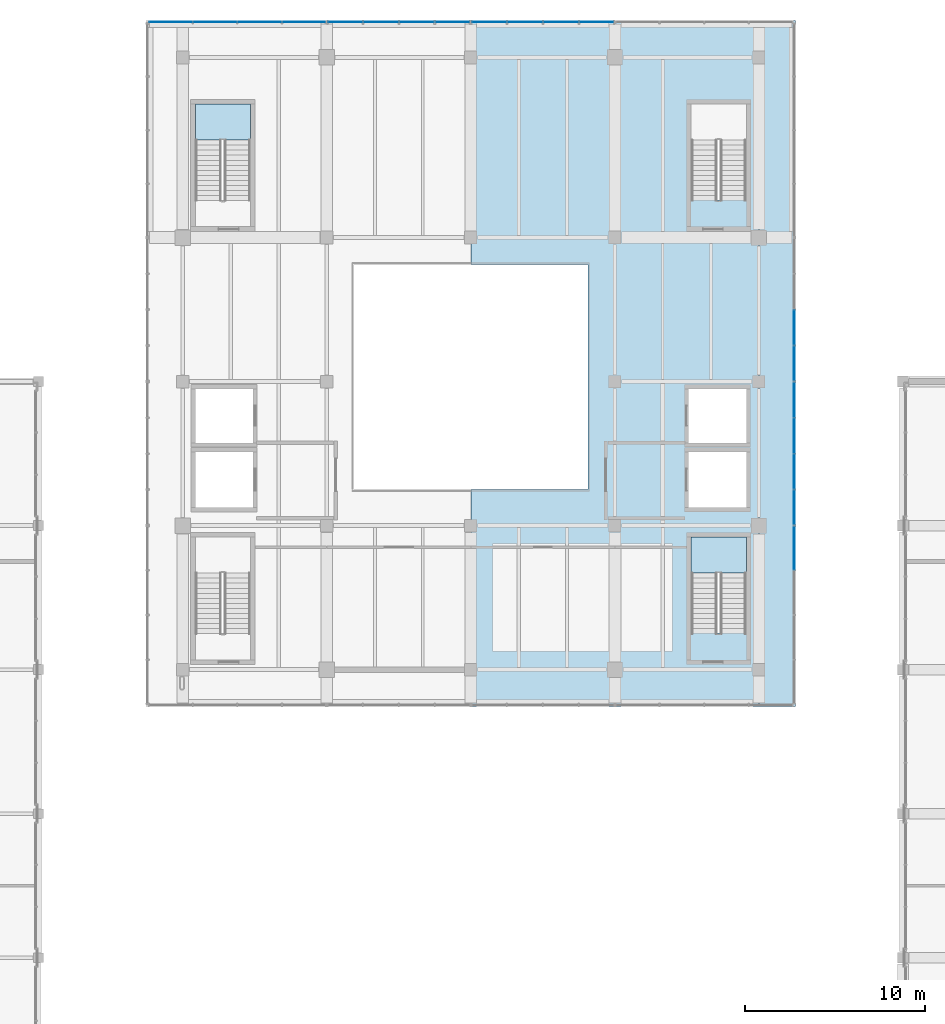
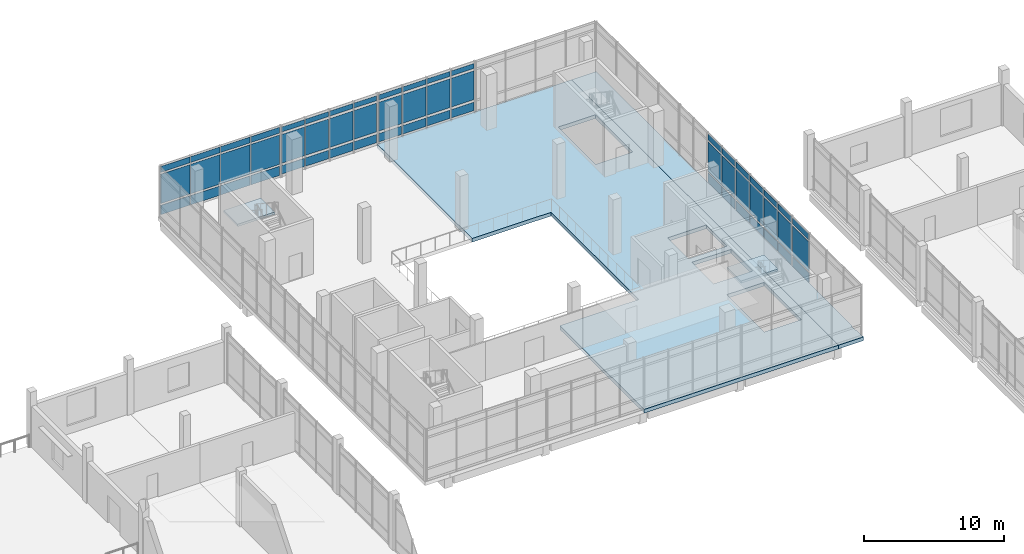
# One storey, part 29 of 47: 57 plates, 4 slabs, 8 elements without a shape of their own.
"""IFC4 building model written with IfcOpenShell, lengths in metres."""

from ifc_helpers import new_model, si_unit, direction, frame, origin, origin_2d, place, context, subcontext, project, spatial, polyline, rectangle, outline, extrude, material, layer, layer_set, type_object, element, aggregate, save


model = new_model("IFC4")

# Units and contexts
model_context = context("Model", 3, precision=1e-05, world=origin(), true_north=direction((0.0, 1.0)))
body_context = subcontext(model_context, "Body", "Model", "MODEL_VIEW")
ifc_project = project(units=[si_unit("LENGTHUNIT", "METRE"), si_unit("AREAUNIT", "SQUARE_METRE"), si_unit("VOLUMEUNIT", "CUBIC_METRE"), si_unit("PLANEANGLEUNIT", "RADIAN"), si_unit("MASSUNIT", "GRAM", prefix="KILO")], contexts=[model_context])

# Site, building, storey
site_placement = place(None, origin())
site = spatial("IfcSite", under=ifc_project, at=site_placement, CompositionType="ELEMENT")
building_placement = place(site_placement, origin())
building = spatial("IfcBuilding", under=site, at=building_placement, Name="Pecanmere Concourse Central Library", CompositionType="ELEMENT")
storey_placement = place(building_placement, frame((0.0, 0.0, 15.300048828125)))
storey = spatial("IfcBuildingStorey", under=building, at=storey_placement, Name="L04", CompositionType="ELEMENT", Elevation=15.300048828125)

# Curtain wall, plates
ifc_material_1 = material(Name="Anodized bronze aluminium alloy 6063-T6", Category="aluminium")
curtain_wall_type_1 = type_object("IfcCurtainWallType", Name="CW_PORTAL_CLEAR", PredefinedType="USERDEFINED", material=ifc_material_1)
curtain_wall_1_placement = place(storey_placement, origin())
curtain_wall_1 = element("IfcCurtainWall", 1, at=curtain_wall_1_placement, inside=storey, type_object=curtain_wall_type_1, Name="Unitised Curtain Wall CW-03 L04-039", ObjectType="UNITISED CURTAIN WALL", PredefinedType="USERDEFINED")
ifc_material_2 = material(Name="White ceramic-fritted insulated spandrel glazing", Category="glass")
ifc_layer_1 = layer(ifc_material_2, 0.053955078125, Name="CWP_SPN_54")
ifc_layer_set_1 = layer_set([ifc_layer_1], Name="White ceramic-fritted insulated spandrel glazing")
plate_type_1 = type_object("IfcPlateType", Name="CWP_SPN_54", PredefinedType="CURTAIN_PANEL", material=ifc_layer_set_1)
plate_1_placement = place(storey_placement, frame((94.97509765625, 125.96142578125, 0.2099609375), z_axis=(0.0, 0.0, 1.0), x_axis=(-1.0, 0.0, 0.0)))
plate_1 = element("IfcPlate", 2, at=plate_1_placement, type_object=plate_type_1, Name="CW-03 Spandrel Panel 1.1", PredefinedType="CURTAIN_PANEL", context=body_context, shape_type="SweptSolid", body=[
    extrude(rectangle(XDim=1.8701171875, YDim=0.035888671875, at=origin_2d()), origin(), (0.0, 0.0, 1.0), 0.735107421875),
])
plate_2_placement = place(storey_placement, frame((92.998779296875, 125.96142578125, 0.2099609375), z_axis=(0.0, 0.0, 1.0), x_axis=(-1.0, 0.0, 0.0)))
plate_2 = element("IfcPlate", 3, at=plate_2_placement, type_object=plate_type_1, Name="CW-03 Spandrel Panel 2.1", PredefinedType="CURTAIN_PANEL", context=body_context, shape_type="SweptSolid", body=[
    extrude(rectangle(XDim=1.91259765625, YDim=0.035888671875, at=origin_2d()), origin(), (0.0, 0.0, 1.0), 0.735107421875),
])
plate_3_placement = place(storey_placement, frame((91.001220703125, 125.96142578125, 0.2099609375), z_axis=(0.0, 0.0, 1.0), x_axis=(-1.0, 0.0, 0.0)))
plate_3 = element("IfcPlate", 4, at=plate_3_placement, type_object=plate_type_1, Name="CW-03 Spandrel Panel 3.1", PredefinedType="CURTAIN_PANEL", context=body_context, shape_type="SweptSolid", body=[
    extrude(rectangle(XDim=1.91259765625, YDim=0.035888671875, at=origin_2d()), origin(), (0.0, 0.0, 1.0), 0.735107421875),
])
plate_4_placement = place(storey_placement, frame((89.02490234375, 125.96142578125, 0.2099609375), z_axis=(0.0, 0.0, 1.0), x_axis=(-1.0, 0.0, 0.0)))
plate_4 = element("IfcPlate", 5, at=plate_4_placement, type_object=plate_type_1, Name="CW-03 Spandrel Panel 4.1", PredefinedType="CURTAIN_PANEL", context=body_context, shape_type="SweptSolid", body=[
    extrude(rectangle(XDim=1.8701171875, YDim=0.035888671875, at=origin_2d()), origin(), (0.0, 0.0, 1.0), 0.735107421875),
])

curtain_wall_2_placement = place(storey_placement, origin())
curtain_wall_2 = element("IfcCurtainWall", 6, at=curtain_wall_2_placement, inside=storey, type_object=curtain_wall_type_1, Name="Unitised Curtain Wall CW-03 L04-040", ObjectType="UNITISED CURTAIN WALL", PredefinedType="USERDEFINED")
plate_5_placement = place(storey_placement, frame((86.97509765625, 125.96142578125, 0.2099609375), z_axis=(0.0, 0.0, 1.0), x_axis=(-1.0, 0.0, 0.0)))
plate_5 = element("IfcPlate", 7, at=plate_5_placement, type_object=plate_type_1, Name="CW-03 Spandrel Panel 1.1", PredefinedType="CURTAIN_PANEL", context=body_context, shape_type="SweptSolid", body=[
    extrude(rectangle(XDim=1.8701171875, YDim=0.035888671875, at=origin_2d()), origin(), (0.0, 0.0, 1.0), 0.735107421875),
])
plate_6_placement = place(storey_placement, frame((84.998779296875, 125.96142578125, 0.2099609375), z_axis=(0.0, 0.0, 1.0), x_axis=(-1.0, 0.0, 0.0)))
plate_6 = element("IfcPlate", 8, at=plate_6_placement, type_object=plate_type_1, Name="CW-03 Spandrel Panel 2.1", PredefinedType="CURTAIN_PANEL", context=body_context, shape_type="SweptSolid", body=[
    extrude(rectangle(XDim=1.91259765625, YDim=0.035888671875, at=origin_2d()), origin(), (0.0, 0.0, 1.0), 0.735107421875),
])
plate_7_placement = place(storey_placement, frame((83.001220703125, 125.96142578125, 0.2099609375), z_axis=(0.0, 0.0, 1.0), x_axis=(-1.0, 0.0, 0.0)))
plate_7 = element("IfcPlate", 9, at=plate_7_placement, type_object=plate_type_1, Name="CW-03 Spandrel Panel 3.1", PredefinedType="CURTAIN_PANEL", context=body_context, shape_type="SweptSolid", body=[
    extrude(rectangle(XDim=1.91259765625, YDim=0.035888671875, at=origin_2d()), origin(), (0.0, 0.0, 1.0), 0.735107421875),
])
plate_8_placement = place(storey_placement, frame((81.02490234375, 125.96142578125, 0.2099609375), z_axis=(0.0, 0.0, 1.0), x_axis=(-1.0, 0.0, 0.0)))
plate_8 = element("IfcPlate", 10, at=plate_8_placement, type_object=plate_type_1, Name="CW-03 Spandrel Panel 4.1", PredefinedType="CURTAIN_PANEL", context=body_context, shape_type="SweptSolid", body=[
    extrude(rectangle(XDim=1.8701171875, YDim=0.035888671875, at=origin_2d()), origin(), (0.0, 0.0, 1.0), 0.735107421875),
])

ifc_material_3 = material(Name="Anodized bronze aluminium alloy 6063-T6", Category="aluminium")
curtain_wall_type_2 = type_object("IfcCurtainWallType", Name="CW_PLUMB_BANDED", PredefinedType="USERDEFINED", material=ifc_material_3)
curtain_wall_3_placement = place(storey_placement, origin())
curtain_wall_3 = element("IfcCurtainWall", 11, at=curtain_wall_3_placement, inside=storey, type_object=curtain_wall_type_2, Name="Unitised Curtain Wall CW-02 L04-041", ObjectType="UNITISED CURTAIN WALL", PredefinedType="USERDEFINED")
plate_9_placement = place(storey_placement, frame((78.7392578125, 125.96142578125, 0.159912109375), z_axis=(0.0, 0.0, 1.0), x_axis=(-1.0, 0.0, 0.0)))
plate_9 = element("IfcPlate", 12, at=plate_9_placement, type_object=plate_type_1, Name="CW-02 Spandrel Panel 1.1", PredefinedType="CURTAIN_PANEL", context=body_context, shape_type="SweptSolid", body=[
    extrude(rectangle(XDim=2.381591796875, YDim=0.035888671875, at=origin_2d()), origin(), (0.0, 0.0, 1.0), 0.81005859375),
])
plate_10_placement = place(storey_placement, frame((76.2763671875, 125.96142578125, 0.159912109375), z_axis=(0.0, 0.0, 1.0), x_axis=(-1.0, 0.0, 0.0)))
plate_10 = element("IfcPlate", 13, at=plate_10_placement, type_object=plate_type_1, Name="CW-02 Spandrel Panel 2.1", PredefinedType="CURTAIN_PANEL", context=body_context, shape_type="SweptSolid", body=[
    extrude(rectangle(XDim=2.4140625, YDim=0.035888671875, at=origin_2d()), origin(), (0.0, 0.0, 1.0), 0.81005859375),
])
plate_11_placement = place(storey_placement, frame((73.797119140625, 125.96142578125, 0.159912109375), z_axis=(0.0, 0.0, 1.0), x_axis=(-1.0, 0.0, 0.0)))
plate_11 = element("IfcPlate", 14, at=plate_11_placement, type_object=plate_type_1, Name="CW-02 Spandrel Panel 3.1", PredefinedType="CURTAIN_PANEL", context=body_context, shape_type="SweptSolid", body=[
    extrude(rectangle(XDim=2.4140625, YDim=0.035888671875, at=origin_2d()), origin(), (0.0, 0.0, 1.0), 0.81005859375),
])
plate_12_placement = place(storey_placement, frame((71.334228515625, 125.96142578125, 0.159912109375), z_axis=(0.0, 0.0, 1.0), x_axis=(-1.0, 0.0, 0.0)))
plate_12 = element("IfcPlate", 15, at=plate_12_placement, type_object=plate_type_1, Name="CW-02 Spandrel Panel 4.1", PredefinedType="CURTAIN_PANEL", context=body_context, shape_type="SweptSolid", body=[
    extrude(rectangle(XDim=2.381591796875, YDim=0.035888671875, at=origin_2d()), origin(), (0.0, 0.0, 1.0), 0.81005859375),
])

# Curtain wall, plate
curtain_wall_4_placement = place(storey_placement, origin())
curtain_wall_4 = element("IfcCurtainWall", 16, at=curtain_wall_4_placement, inside=storey, type_object=curtain_wall_type_2, Name="Unitised Curtain Wall CW-02 L04-046", ObjectType="UNITISED CURTAIN WALL", PredefinedType="USERDEFINED")
plate_13_placement = place(storey_placement, frame((105.96142578125, 96.7392578125, 0.159912109375), z_axis=(0.0, 0.0, 1.0), x_axis=(0.0, 1.0, 0.0)))
plate_13 = element("IfcPlate", 17, at=plate_13_placement, type_object=plate_type_1, Name="CW-02 Spandrel Panel 4.1", PredefinedType="CURTAIN_PANEL", context=body_context, shape_type="SweptSolid", body=[
    extrude(rectangle(XDim=2.381591796875, YDim=0.035888671875, at=origin_2d()), origin(), (0.0, 0.0, 1.0), 0.81005859375),
])

# Curtain wall, plates
curtain_wall_5_placement = place(storey_placement, origin())
curtain_wall_5 = element("IfcCurtainWall", 18, at=curtain_wall_5_placement, inside=storey, type_object=curtain_wall_type_2, Name="Unitised Curtain Wall CW-02 L04-047", ObjectType="UNITISED CURTAIN WALL", PredefinedType="USERDEFINED")
plate_14_placement = place(storey_placement, frame((105.96142578125, 99.02001953125, 0.159912109375), z_axis=(0.0, 0.0, 1.0), x_axis=(0.0, 1.0, 0.0)))
plate_14 = element("IfcPlate", 19, at=plate_14_placement, type_object=plate_type_1, Name="CW-02 Spandrel Panel 1.1", PredefinedType="CURTAIN_PANEL", context=body_context, shape_type="SweptSolid", body=[
    extrude(rectangle(XDim=1.89990234375, YDim=0.035888671875, at=origin_2d()), origin(), (0.0, 0.0, 1.0), 0.81005859375),
])
plate_15_placement = place(storey_placement, frame((105.96142578125, 101.001220703125, 0.159912109375), z_axis=(0.0, 0.0, 1.0), x_axis=(0.0, 1.0, 0.0)))
plate_15 = element("IfcPlate", 20, at=plate_15_placement, type_object=plate_type_1, Name="CW-02 Spandrel Panel 2.1", PredefinedType="CURTAIN_PANEL", context=body_context, shape_type="SweptSolid", body=[
    extrude(rectangle(XDim=1.9326171875, YDim=0.035888671875, at=origin_2d()), origin(), (0.0, 0.0, 1.0), 0.81005859375),
])
plate_16_placement = place(storey_placement, frame((105.96142578125, 102.998779296875, 0.159912109375), z_axis=(0.0, 0.0, 1.0), x_axis=(0.0, 1.0, 0.0)))
plate_16 = element("IfcPlate", 21, at=plate_16_placement, type_object=plate_type_1, Name="CW-02 Spandrel Panel 3.1", PredefinedType="CURTAIN_PANEL", context=body_context, shape_type="SweptSolid", body=[
    extrude(rectangle(XDim=1.9326171875, YDim=0.035888671875, at=origin_2d()), origin(), (0.0, 0.0, 1.0), 0.81005859375),
])
plate_17_placement = place(storey_placement, frame((105.96142578125, 104.97998046875, 0.159912109375), z_axis=(0.0, 0.0, 1.0), x_axis=(0.0, 1.0, 0.0)))
plate_17 = element("IfcPlate", 22, at=plate_17_placement, type_object=plate_type_1, Name="CW-02 Spandrel Panel 4.1", PredefinedType="CURTAIN_PANEL", context=body_context, shape_type="SweptSolid", body=[
    extrude(rectangle(XDim=1.89990234375, YDim=0.035888671875, at=origin_2d()), origin(), (0.0, 0.0, 1.0), 0.81005859375),
])

curtain_wall_6_placement = place(storey_placement, origin())
curtain_wall_6 = element("IfcCurtainWall", 23, at=curtain_wall_6_placement, inside=storey, type_object=curtain_wall_type_2, Name="Unitised Curtain Wall CW-02 L04-048", ObjectType="UNITISED CURTAIN WALL", PredefinedType="USERDEFINED")
plate_18_placement = place(storey_placement, frame((105.96142578125, 107.02001953125, 0.159912109375), z_axis=(0.0, 0.0, 1.0), x_axis=(0.0, 1.0, 0.0)))
plate_18 = element("IfcPlate", 24, at=plate_18_placement, type_object=plate_type_1, Name="CW-02 Spandrel Panel 1.1", PredefinedType="CURTAIN_PANEL", context=body_context, shape_type="SweptSolid", body=[
    extrude(rectangle(XDim=1.89990234375, YDim=0.035888671875, at=origin_2d()), origin(), (0.0, 0.0, 1.0), 0.81005859375),
])
plate_19_placement = place(storey_placement, frame((105.96142578125, 109.001220703125, 0.159912109375), z_axis=(0.0, 0.0, 1.0), x_axis=(0.0, 1.0, 0.0)))
plate_19 = element("IfcPlate", 25, at=plate_19_placement, type_object=plate_type_1, Name="CW-02 Spandrel Panel 2.1", PredefinedType="CURTAIN_PANEL", context=body_context, shape_type="SweptSolid", body=[
    extrude(rectangle(XDim=1.9326171875, YDim=0.035888671875, at=origin_2d()), origin(), (0.0, 0.0, 1.0), 0.81005859375),
])

# Plate
ifc_material_4 = material(Name="Low-iron clear insulated glazing", Category="glass")
ifc_layer_2 = layer(ifc_material_4, 0.035888671875, Name="CWP_VIS_36")
ifc_layer_set_2 = layer_set([ifc_layer_2], Name="Low-iron clear insulated glazing")
plate_type_2 = type_object("IfcPlateType", Name="CWP_VIS_36", PredefinedType="CURTAIN_PANEL", material=ifc_layer_set_2)
plate_20_placement = place(storey_placement, frame((94.97509765625, 125.96142578125, 1.15478515625), z_axis=(0.0, 0.0, 1.0), x_axis=(-1.0, 0.0, 0.0)))
plate_20 = element("IfcPlate", 26, at=plate_20_placement, type_object=plate_type_2, Name="CW-03 Vision Panel 1.2", PredefinedType="CURTAIN_PANEL", context=body_context, shape_type="SweptSolid", body=[
    extrude(rectangle(XDim=1.8701171875, YDim=0.035888671875, at=origin_2d()), origin(), (0.0, 0.0, 1.0), 2.510009765625),
])

plate_21_placement = place(storey_placement, frame((94.97509765625, 125.96142578125, 3.875), z_axis=(0.0, 0.0, 1.0), x_axis=(-1.0, 0.0, 0.0)))
plate_21 = element("IfcPlate", 27, at=plate_21_placement, type_object=plate_type_2, Name="CW-03 Vision Panel 1.3", PredefinedType="CURTAIN_PANEL", context=body_context, shape_type="SweptSolid", body=[
    extrude(rectangle(XDim=1.8701171875, YDim=0.035888671875, at=origin_2d()), origin(), (0.0, 0.0, 1.0), 0.43505859375),
])

plate_22_placement = place(storey_placement, frame((92.998779296875, 125.96142578125, 1.15478515625), z_axis=(0.0, 0.0, 1.0), x_axis=(-1.0, 0.0, 0.0)))
plate_22 = element("IfcPlate", 28, at=plate_22_placement, type_object=plate_type_2, Name="CW-03 Vision Panel 2.2", PredefinedType="CURTAIN_PANEL", context=body_context, shape_type="SweptSolid", body=[
    extrude(rectangle(XDim=1.91259765625, YDim=0.035888671875, at=origin_2d()), origin(), (0.0, 0.0, 1.0), 2.510009765625),
])

plate_23_placement = place(storey_placement, frame((92.998779296875, 125.96142578125, 3.875), z_axis=(0.0, 0.0, 1.0), x_axis=(-1.0, 0.0, 0.0)))
plate_23 = element("IfcPlate", 29, at=plate_23_placement, type_object=plate_type_2, Name="CW-03 Vision Panel 2.3", PredefinedType="CURTAIN_PANEL", context=body_context, shape_type="SweptSolid", body=[
    extrude(rectangle(XDim=1.91259765625, YDim=0.035888671875, at=origin_2d()), origin(), (0.0, 0.0, 1.0), 0.43505859375),
])

plate_24_placement = place(storey_placement, frame((91.001220703125, 125.96142578125, 1.15478515625), z_axis=(0.0, 0.0, 1.0), x_axis=(-1.0, 0.0, 0.0)))
plate_24 = element("IfcPlate", 30, at=plate_24_placement, type_object=plate_type_2, Name="CW-03 Vision Panel 3.2", PredefinedType="CURTAIN_PANEL", context=body_context, shape_type="SweptSolid", body=[
    extrude(rectangle(XDim=1.91259765625, YDim=0.035888671875, at=origin_2d()), origin(), (0.0, 0.0, 1.0), 2.510009765625),
])

plate_25_placement = place(storey_placement, frame((91.001220703125, 125.96142578125, 3.875), z_axis=(0.0, 0.0, 1.0), x_axis=(-1.0, 0.0, 0.0)))
plate_25 = element("IfcPlate", 31, at=plate_25_placement, type_object=plate_type_2, Name="CW-03 Vision Panel 3.3", PredefinedType="CURTAIN_PANEL", context=body_context, shape_type="SweptSolid", body=[
    extrude(rectangle(XDim=1.91259765625, YDim=0.035888671875, at=origin_2d()), origin(), (0.0, 0.0, 1.0), 0.43505859375),
])

plate_26_placement = place(storey_placement, frame((89.02490234375, 125.96142578125, 1.15478515625), z_axis=(0.0, 0.0, 1.0), x_axis=(-1.0, 0.0, 0.0)))
plate_26 = element("IfcPlate", 32, at=plate_26_placement, type_object=plate_type_2, Name="CW-03 Vision Panel 4.2", PredefinedType="CURTAIN_PANEL", context=body_context, shape_type="SweptSolid", body=[
    extrude(rectangle(XDim=1.8701171875, YDim=0.035888671875, at=origin_2d()), origin(), (0.0, 0.0, 1.0), 2.510009765625),
])

plate_27_placement = place(storey_placement, frame((89.02490234375, 125.96142578125, 3.875), z_axis=(0.0, 0.0, 1.0), x_axis=(-1.0, 0.0, 0.0)))
plate_27 = element("IfcPlate", 33, at=plate_27_placement, type_object=plate_type_2, Name="CW-03 Vision Panel 4.3", PredefinedType="CURTAIN_PANEL", context=body_context, shape_type="SweptSolid", body=[
    extrude(rectangle(XDim=1.8701171875, YDim=0.035888671875, at=origin_2d()), origin(), (0.0, 0.0, 1.0), 0.43505859375),
])

aggregate(curtain_wall_1, [plate_1, plate_20, plate_21, plate_2, plate_22, plate_23, plate_3, plate_24, plate_25, plate_4, plate_26, plate_27])

plate_28_placement = place(storey_placement, frame((86.97509765625, 125.96142578125, 1.15478515625), z_axis=(0.0, 0.0, 1.0), x_axis=(-1.0, 0.0, 0.0)))
plate_28 = element("IfcPlate", 34, at=plate_28_placement, type_object=plate_type_2, Name="CW-03 Vision Panel 1.2", PredefinedType="CURTAIN_PANEL", context=body_context, shape_type="SweptSolid", body=[
    extrude(rectangle(XDim=1.8701171875, YDim=0.035888671875, at=origin_2d()), origin(), (0.0, 0.0, 1.0), 2.510009765625),
])

plate_29_placement = place(storey_placement, frame((86.97509765625, 125.96142578125, 3.875), z_axis=(0.0, 0.0, 1.0), x_axis=(-1.0, 0.0, 0.0)))
plate_29 = element("IfcPlate", 35, at=plate_29_placement, type_object=plate_type_2, Name="CW-03 Vision Panel 1.3", PredefinedType="CURTAIN_PANEL", context=body_context, shape_type="SweptSolid", body=[
    extrude(rectangle(XDim=1.8701171875, YDim=0.035888671875, at=origin_2d()), origin(), (0.0, 0.0, 1.0), 0.43505859375),
])

plate_30_placement = place(storey_placement, frame((84.998779296875, 125.96142578125, 1.15478515625), z_axis=(0.0, 0.0, 1.0), x_axis=(-1.0, 0.0, 0.0)))
plate_30 = element("IfcPlate", 36, at=plate_30_placement, type_object=plate_type_2, Name="CW-03 Vision Panel 2.2", PredefinedType="CURTAIN_PANEL", context=body_context, shape_type="SweptSolid", body=[
    extrude(rectangle(XDim=1.91259765625, YDim=0.035888671875, at=origin_2d()), origin(), (0.0, 0.0, 1.0), 2.510009765625),
])

plate_31_placement = place(storey_placement, frame((84.998779296875, 125.96142578125, 3.875), z_axis=(0.0, 0.0, 1.0), x_axis=(-1.0, 0.0, 0.0)))
plate_31 = element("IfcPlate", 37, at=plate_31_placement, type_object=plate_type_2, Name="CW-03 Vision Panel 2.3", PredefinedType="CURTAIN_PANEL", context=body_context, shape_type="SweptSolid", body=[
    extrude(rectangle(XDim=1.91259765625, YDim=0.035888671875, at=origin_2d()), origin(), (0.0, 0.0, 1.0), 0.43505859375),
])

plate_32_placement = place(storey_placement, frame((83.001220703125, 125.96142578125, 1.15478515625), z_axis=(0.0, 0.0, 1.0), x_axis=(-1.0, 0.0, 0.0)))
plate_32 = element("IfcPlate", 38, at=plate_32_placement, type_object=plate_type_2, Name="CW-03 Vision Panel 3.2", PredefinedType="CURTAIN_PANEL", context=body_context, shape_type="SweptSolid", body=[
    extrude(rectangle(XDim=1.91259765625, YDim=0.035888671875, at=origin_2d()), origin(), (0.0, 0.0, 1.0), 2.510009765625),
])

plate_33_placement = place(storey_placement, frame((83.001220703125, 125.96142578125, 3.875), z_axis=(0.0, 0.0, 1.0), x_axis=(-1.0, 0.0, 0.0)))
plate_33 = element("IfcPlate", 39, at=plate_33_placement, type_object=plate_type_2, Name="CW-03 Vision Panel 3.3", PredefinedType="CURTAIN_PANEL", context=body_context, shape_type="SweptSolid", body=[
    extrude(rectangle(XDim=1.91259765625, YDim=0.035888671875, at=origin_2d()), origin(), (0.0, 0.0, 1.0), 0.43505859375),
])

plate_34_placement = place(storey_placement, frame((81.02490234375, 125.96142578125, 1.15478515625), z_axis=(0.0, 0.0, 1.0), x_axis=(-1.0, 0.0, 0.0)))
plate_34 = element("IfcPlate", 40, at=plate_34_placement, type_object=plate_type_2, Name="CW-03 Vision Panel 4.2", PredefinedType="CURTAIN_PANEL", context=body_context, shape_type="SweptSolid", body=[
    extrude(rectangle(XDim=1.8701171875, YDim=0.035888671875, at=origin_2d()), origin(), (0.0, 0.0, 1.0), 2.510009765625),
])

plate_35_placement = place(storey_placement, frame((81.02490234375, 125.96142578125, 3.875), z_axis=(0.0, 0.0, 1.0), x_axis=(-1.0, 0.0, 0.0)))
plate_35 = element("IfcPlate", 41, at=plate_35_placement, type_object=plate_type_2, Name="CW-03 Vision Panel 4.3", PredefinedType="CURTAIN_PANEL", context=body_context, shape_type="SweptSolid", body=[
    extrude(rectangle(XDim=1.8701171875, YDim=0.035888671875, at=origin_2d()), origin(), (0.0, 0.0, 1.0), 0.43505859375),
])

aggregate(curtain_wall_2, [plate_5, plate_28, plate_29, plate_6, plate_30, plate_31, plate_7, plate_32, plate_33, plate_8, plate_34, plate_35])

plate_36_placement = place(storey_placement, frame((78.7392578125, 125.96142578125, 1.1298828125), z_axis=(0.0, 0.0, 1.0), x_axis=(-1.0, 0.0, 0.0)))
plate_36 = element("IfcPlate", 42, at=plate_36_placement, type_object=plate_type_2, Name="CW-02 Vision Panel 1.2", PredefinedType="CURTAIN_PANEL", context=body_context, shape_type="SweptSolid", body=[
    extrude(rectangle(XDim=2.381591796875, YDim=0.035888671875, at=origin_2d()), origin(), (0.0, 0.0, 1.0), 2.56005859375),
])

plate_37_placement = place(storey_placement, frame((78.7392578125, 125.96142578125, 3.85009765625), z_axis=(0.0, 0.0, 1.0), x_axis=(-1.0, 0.0, 0.0)))
plate_37 = element("IfcPlate", 43, at=plate_37_placement, type_object=plate_type_2, Name="CW-02 Vision Panel 1.3", PredefinedType="CURTAIN_PANEL", context=body_context, shape_type="SweptSolid", body=[
    extrude(rectangle(XDim=2.381591796875, YDim=0.035888671875, at=origin_2d()), origin(), (0.0, 0.0, 1.0), 0.510009765625),
])

plate_38_placement = place(storey_placement, frame((76.2763671875, 125.96142578125, 1.1298828125), z_axis=(0.0, 0.0, 1.0), x_axis=(-1.0, 0.0, 0.0)))
plate_38 = element("IfcPlate", 44, at=plate_38_placement, type_object=plate_type_2, Name="CW-02 Vision Panel 2.2", PredefinedType="CURTAIN_PANEL", context=body_context, shape_type="SweptSolid", body=[
    extrude(rectangle(XDim=2.4140625, YDim=0.035888671875, at=origin_2d()), origin(), (0.0, 0.0, 1.0), 2.56005859375),
])

plate_39_placement = place(storey_placement, frame((76.2763671875, 125.96142578125, 3.85009765625), z_axis=(0.0, 0.0, 1.0), x_axis=(-1.0, 0.0, 0.0)))
plate_39 = element("IfcPlate", 45, at=plate_39_placement, type_object=plate_type_2, Name="CW-02 Vision Panel 2.3", PredefinedType="CURTAIN_PANEL", context=body_context, shape_type="SweptSolid", body=[
    extrude(rectangle(XDim=2.4140625, YDim=0.035888671875, at=origin_2d()), origin(), (0.0, 0.0, 1.0), 0.510009765625),
])

plate_40_placement = place(storey_placement, frame((73.797119140625, 125.96142578125, 1.1298828125), z_axis=(0.0, 0.0, 1.0), x_axis=(-1.0, 0.0, 0.0)))
plate_40 = element("IfcPlate", 46, at=plate_40_placement, type_object=plate_type_2, Name="CW-02 Vision Panel 3.2", PredefinedType="CURTAIN_PANEL", context=body_context, shape_type="SweptSolid", body=[
    extrude(rectangle(XDim=2.4140625, YDim=0.035888671875, at=origin_2d()), origin(), (0.0, 0.0, 1.0), 2.56005859375),
])

plate_41_placement = place(storey_placement, frame((73.797119140625, 125.96142578125, 3.85009765625), z_axis=(0.0, 0.0, 1.0), x_axis=(-1.0, 0.0, 0.0)))
plate_41 = element("IfcPlate", 47, at=plate_41_placement, type_object=plate_type_2, Name="CW-02 Vision Panel 3.3", PredefinedType="CURTAIN_PANEL", context=body_context, shape_type="SweptSolid", body=[
    extrude(rectangle(XDim=2.4140625, YDim=0.035888671875, at=origin_2d()), origin(), (0.0, 0.0, 1.0), 0.510009765625),
])

plate_42_placement = place(storey_placement, frame((71.334228515625, 125.96142578125, 1.1298828125), z_axis=(0.0, 0.0, 1.0), x_axis=(-1.0, 0.0, 0.0)))
plate_42 = element("IfcPlate", 48, at=plate_42_placement, type_object=plate_type_2, Name="CW-02 Vision Panel 4.2", PredefinedType="CURTAIN_PANEL", context=body_context, shape_type="SweptSolid", body=[
    extrude(rectangle(XDim=2.381591796875, YDim=0.035888671875, at=origin_2d()), origin(), (0.0, 0.0, 1.0), 2.56005859375),
])

plate_43_placement = place(storey_placement, frame((71.334228515625, 125.96142578125, 3.85009765625), z_axis=(0.0, 0.0, 1.0), x_axis=(-1.0, 0.0, 0.0)))
plate_43 = element("IfcPlate", 49, at=plate_43_placement, type_object=plate_type_2, Name="CW-02 Vision Panel 4.3", PredefinedType="CURTAIN_PANEL", context=body_context, shape_type="SweptSolid", body=[
    extrude(rectangle(XDim=2.381591796875, YDim=0.035888671875, at=origin_2d()), origin(), (0.0, 0.0, 1.0), 0.510009765625),
])

aggregate(curtain_wall_3, [plate_9, plate_36, plate_37, plate_10, plate_38, plate_39, plate_11, plate_40, plate_41, plate_12, plate_42, plate_43])

plate_44_placement = place(storey_placement, frame((105.96142578125, 96.7392578125, 1.1298828125), z_axis=(0.0, 0.0, 1.0), x_axis=(0.0, 1.0, 0.0)))
plate_44 = element("IfcPlate", 50, at=plate_44_placement, type_object=plate_type_2, Name="CW-02 Vision Panel 4.2", PredefinedType="CURTAIN_PANEL", context=body_context, shape_type="SweptSolid", body=[
    extrude(rectangle(XDim=2.381591796875, YDim=0.035888671875, at=origin_2d()), origin(), (0.0, 0.0, 1.0), 2.56005859375),
])

plate_45_placement = place(storey_placement, frame((105.96142578125, 96.7392578125, 3.85009765625), z_axis=(0.0, 0.0, 1.0), x_axis=(0.0, 1.0, 0.0)))
plate_45 = element("IfcPlate", 51, at=plate_45_placement, type_object=plate_type_2, Name="CW-02 Vision Panel 4.3", PredefinedType="CURTAIN_PANEL", context=body_context, shape_type="SweptSolid", body=[
    extrude(rectangle(XDim=2.381591796875, YDim=0.035888671875, at=origin_2d()), origin(), (0.0, 0.0, 1.0), 0.510009765625),
])

aggregate(curtain_wall_4, [plate_13, plate_44, plate_45])

plate_46_placement = place(storey_placement, frame((105.96142578125, 99.02001953125, 1.1298828125), z_axis=(0.0, 0.0, 1.0), x_axis=(0.0, 1.0, 0.0)))
plate_46 = element("IfcPlate", 52, at=plate_46_placement, type_object=plate_type_2, Name="CW-02 Vision Panel 1.2", PredefinedType="CURTAIN_PANEL", context=body_context, shape_type="SweptSolid", body=[
    extrude(rectangle(XDim=1.89990234375, YDim=0.035888671875, at=origin_2d()), origin(), (0.0, 0.0, 1.0), 2.56005859375),
])

plate_47_placement = place(storey_placement, frame((105.96142578125, 99.02001953125, 3.85009765625), z_axis=(0.0, 0.0, 1.0), x_axis=(0.0, 1.0, 0.0)))
plate_47 = element("IfcPlate", 53, at=plate_47_placement, type_object=plate_type_2, Name="CW-02 Vision Panel 1.3", PredefinedType="CURTAIN_PANEL", context=body_context, shape_type="SweptSolid", body=[
    extrude(rectangle(XDim=1.89990234375, YDim=0.035888671875, at=origin_2d()), origin(), (0.0, 0.0, 1.0), 0.510009765625),
])

plate_48_placement = place(storey_placement, frame((105.96142578125, 101.001220703125, 1.1298828125), z_axis=(0.0, 0.0, 1.0), x_axis=(0.0, 1.0, 0.0)))
plate_48 = element("IfcPlate", 54, at=plate_48_placement, type_object=plate_type_2, Name="CW-02 Vision Panel 2.2", PredefinedType="CURTAIN_PANEL", context=body_context, shape_type="SweptSolid", body=[
    extrude(rectangle(XDim=1.9326171875, YDim=0.035888671875, at=origin_2d()), origin(), (0.0, 0.0, 1.0), 2.56005859375),
])

plate_49_placement = place(storey_placement, frame((105.96142578125, 101.001220703125, 3.85009765625), z_axis=(0.0, 0.0, 1.0), x_axis=(0.0, 1.0, 0.0)))
plate_49 = element("IfcPlate", 55, at=plate_49_placement, type_object=plate_type_2, Name="CW-02 Vision Panel 2.3", PredefinedType="CURTAIN_PANEL", context=body_context, shape_type="SweptSolid", body=[
    extrude(rectangle(XDim=1.9326171875, YDim=0.035888671875, at=origin_2d()), origin(), (0.0, 0.0, 1.0), 0.510009765625),
])

plate_50_placement = place(storey_placement, frame((105.96142578125, 102.998779296875, 1.1298828125), z_axis=(0.0, 0.0, 1.0), x_axis=(0.0, 1.0, 0.0)))
plate_50 = element("IfcPlate", 56, at=plate_50_placement, type_object=plate_type_2, Name="CW-02 Vision Panel 3.2", PredefinedType="CURTAIN_PANEL", context=body_context, shape_type="SweptSolid", body=[
    extrude(rectangle(XDim=1.9326171875, YDim=0.035888671875, at=origin_2d()), origin(), (0.0, 0.0, 1.0), 2.56005859375),
])

plate_51_placement = place(storey_placement, frame((105.96142578125, 102.998779296875, 3.85009765625), z_axis=(0.0, 0.0, 1.0), x_axis=(0.0, 1.0, 0.0)))
plate_51 = element("IfcPlate", 57, at=plate_51_placement, type_object=plate_type_2, Name="CW-02 Vision Panel 3.3", PredefinedType="CURTAIN_PANEL", context=body_context, shape_type="SweptSolid", body=[
    extrude(rectangle(XDim=1.9326171875, YDim=0.035888671875, at=origin_2d()), origin(), (0.0, 0.0, 1.0), 0.510009765625),
])

plate_52_placement = place(storey_placement, frame((105.96142578125, 104.97998046875, 1.1298828125), z_axis=(0.0, 0.0, 1.0), x_axis=(0.0, 1.0, 0.0)))
plate_52 = element("IfcPlate", 58, at=plate_52_placement, type_object=plate_type_2, Name="CW-02 Vision Panel 4.2", PredefinedType="CURTAIN_PANEL", context=body_context, shape_type="SweptSolid", body=[
    extrude(rectangle(XDim=1.89990234375, YDim=0.035888671875, at=origin_2d()), origin(), (0.0, 0.0, 1.0), 2.56005859375),
])

plate_53_placement = place(storey_placement, frame((105.96142578125, 104.97998046875, 3.85009765625), z_axis=(0.0, 0.0, 1.0), x_axis=(0.0, 1.0, 0.0)))
plate_53 = element("IfcPlate", 59, at=plate_53_placement, type_object=plate_type_2, Name="CW-02 Vision Panel 4.3", PredefinedType="CURTAIN_PANEL", context=body_context, shape_type="SweptSolid", body=[
    extrude(rectangle(XDim=1.89990234375, YDim=0.035888671875, at=origin_2d()), origin(), (0.0, 0.0, 1.0), 0.510009765625),
])

aggregate(curtain_wall_5, [plate_14, plate_46, plate_47, plate_15, plate_48, plate_49, plate_16, plate_50, plate_51, plate_17, plate_52, plate_53])

plate_54_placement = place(storey_placement, frame((105.96142578125, 107.02001953125, 1.1298828125), z_axis=(0.0, 0.0, 1.0), x_axis=(0.0, 1.0, 0.0)))
plate_54 = element("IfcPlate", 60, at=plate_54_placement, type_object=plate_type_2, Name="CW-02 Vision Panel 1.2", PredefinedType="CURTAIN_PANEL", context=body_context, shape_type="SweptSolid", body=[
    extrude(rectangle(XDim=1.89990234375, YDim=0.035888671875, at=origin_2d()), origin(), (0.0, 0.0, 1.0), 2.56005859375),
])

plate_55_placement = place(storey_placement, frame((105.96142578125, 107.02001953125, 3.85009765625), z_axis=(0.0, 0.0, 1.0), x_axis=(0.0, 1.0, 0.0)))
plate_55 = element("IfcPlate", 61, at=plate_55_placement, type_object=plate_type_2, Name="CW-02 Vision Panel 1.3", PredefinedType="CURTAIN_PANEL", context=body_context, shape_type="SweptSolid", body=[
    extrude(rectangle(XDim=1.89990234375, YDim=0.035888671875, at=origin_2d()), origin(), (0.0, 0.0, 1.0), 0.510009765625),
])

plate_56_placement = place(storey_placement, frame((105.96142578125, 109.001220703125, 1.1298828125), z_axis=(0.0, 0.0, 1.0), x_axis=(0.0, 1.0, 0.0)))
plate_56 = element("IfcPlate", 62, at=plate_56_placement, type_object=plate_type_2, Name="CW-02 Vision Panel 2.2", PredefinedType="CURTAIN_PANEL", context=body_context, shape_type="SweptSolid", body=[
    extrude(rectangle(XDim=1.9326171875, YDim=0.035888671875, at=origin_2d()), origin(), (0.0, 0.0, 1.0), 2.56005859375),
])

plate_57_placement = place(storey_placement, frame((105.96142578125, 109.001220703125, 3.85009765625), z_axis=(0.0, 0.0, 1.0), x_axis=(0.0, 1.0, 0.0)))
plate_57 = element("IfcPlate", 63, at=plate_57_placement, type_object=plate_type_2, Name="CW-02 Vision Panel 2.3", PredefinedType="CURTAIN_PANEL", context=body_context, shape_type="SweptSolid", body=[
    extrude(rectangle(XDim=1.9326171875, YDim=0.035888671875, at=origin_2d()), origin(), (0.0, 0.0, 1.0), 0.510009765625),
])

aggregate(curtain_wall_6, [plate_18, plate_54, plate_55, plate_19, plate_56, plate_57])

# Stair, slab
ifc_material_5 = material(Name="Concrete C35/45", Category="concrete")
stair_type_1 = type_object("IfcStairType", Name="STAIR_TYPE_ST-02-1846", PredefinedType="USERDEFINED", material=ifc_material_5)
stair_1_placement = place(storey_placement, origin())
stair_1 = element("IfcStair", 64, at=stair_1_placement, inside=storey, type_object=stair_type_1, Name="L04 Protected Stair ST-02", ObjectType="TWO_RETURN_STAIR", PredefinedType="USERDEFINED")
ifc_material_6 = material(Name="Concrete C35/45", Category="concrete")
ifc_layer_3 = layer(ifc_material_6, 0.199951171875, Name="SLAB_LANDING_200")
ifc_layer_set_3 = layer_set([ifc_layer_3], Name="Concrete C35/45")
slab_type_1 = type_object("IfcSlabType", Name="SLAB_LANDING_200", PredefinedType="LANDING", material=ifc_layer_set_3)
slab_1_placement = place(storey_placement, frame((0.0, 0.0, 2.199951171875)))
slab_1 = element("IfcSlab", 65, at=slab_1_placement, type_object=slab_type_1, Name="ST-02-1846 landing 1", PredefinedType="LANDING", context=body_context, shape_type="SweptSolid", body=[
    extrude(outline(polyline([(103.300048828125, 95.360107421875), (103.300048828125, 97.3701171875), (100.239990234375, 97.3701171875), (100.239990234375, 95.360107421875), (103.300048828125, 95.360107421875)])), origin(), (0.0, 0.0, 1.0), 0.199951171875),
])
aggregate(stair_1, [slab_1])

ifc_material_7 = material(Name="Concrete C35/45", Category="concrete")
stair_type_2 = type_object("IfcStairType", Name="STAIR_TYPE_ST-03-1846", PredefinedType="USERDEFINED", material=ifc_material_7)
stair_2_placement = place(storey_placement, origin())
stair_2 = element("IfcStair", 66, at=stair_2_placement, inside=storey, type_object=stair_type_2, Name="L04 Protected Stair ST-03", ObjectType="TWO_RETURN_STAIR", PredefinedType="USERDEFINED")
slab_2_placement = place(storey_placement, frame((0.0, 0.0, 2.199951171875)))
slab_2 = element("IfcSlab", 67, at=slab_2_placement, type_object=slab_type_1, Name="ST-03-1846 landing 1", PredefinedType="LANDING", context=body_context, shape_type="SweptSolid", body=[
    extrude(outline(polyline([(75.760009765625, 119.409912109375), (75.760009765625, 121.419921875), (72.699951171875, 121.419921875), (72.699951171875, 119.409912109375), (75.760009765625, 119.409912109375)])), origin(), (0.0, 0.0, 1.0), 0.199951171875),
])
aggregate(stair_2, [slab_2])

# Slabs
ifc_material_8 = material(Name="Concrete C35/45", Category="concrete")
ifc_layer_4 = layer(ifc_material_8, 0.320068359375, Name="SLAB_STACK_320")
ifc_layer_set_4 = layer_set([ifc_layer_4], Name="Concrete C35/45")
slab_type_2 = type_object("IfcSlabType", Name="SLAB_STACK_320", PredefinedType="FLOOR", material=ifc_layer_set_4)
slab_3_placement = place(storey_placement, frame((0.0, 0.0, -0.320068359375)))
element("IfcSlab", 68, at=slab_3_placement, inside=storey, type_object=slab_type_2, Name="Floor Slab V1 L04-122", PredefinedType="FLOOR", context=body_context, shape_type="SweptSolid", body=[
    extrude(outline(polyline([(88.0, 87.95849609375), (88.0, 100.0), (94.5, 100.0), (94.5, 112.5), (88.0, 112.5), (88.0, 126.04150390625), (104.0, 126.04150390625), (104.0, 87.95849609375), (88.0, 87.95849609375)]), holes=[polyline([(103.300048828125, 97.3701171875), (100.239990234375, 97.3701171875), (100.239990234375, 92.030029296875), (103.300048828125, 92.030029296875), (103.300048828125, 97.3701171875)]), polyline([(103.300048828125, 102.10009765625), (100.10009765625, 102.10009765625), (100.10009765625, 99.0), (103.300048828125, 99.0), (103.300048828125, 102.10009765625)]), polyline([(103.300048828125, 105.60009765625), (100.10009765625, 105.60009765625), (100.10009765625, 102.60009765625), (103.300048828125, 102.60009765625), (103.300048828125, 105.60009765625)]), polyline([(103.300048828125, 121.419921875), (100.239990234375, 121.419921875), (100.239990234375, 116.080078125), (103.300048828125, 116.080078125), (103.300048828125, 121.419921875)])]), origin(), (0.0, 0.0, 1.0), 0.320068359375),
])
slab_4_placement = place(storey_placement, frame((0.0, 0.0, -0.320068359375)))
element("IfcSlab", 69, at=slab_4_placement, inside=storey, type_object=slab_type_2, Name="Floor Slab V1 L04-123", PredefinedType="FLOOR", context=body_context, shape_type="SweptSolid", body=[
    extrude(outline(polyline([(104.0, 126.04150390625), (106.04150390625, 126.04150390625), (106.04150390625, 89.55859375), (105.96142578125, 89.55859375), (105.96142578125, 88.95849609375), (106.04150390625, 88.95849609375), (106.04150390625, 87.95849609375), (104.0, 87.95849609375), (104.0, 126.04150390625)])), origin(), (0.0, 0.0, 1.0), 0.320068359375),
])

save(model, "model.ifc")
